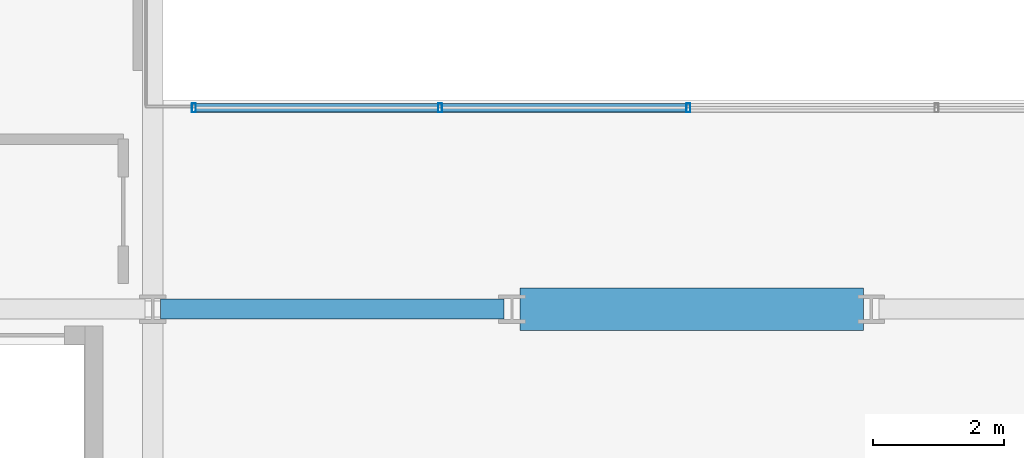
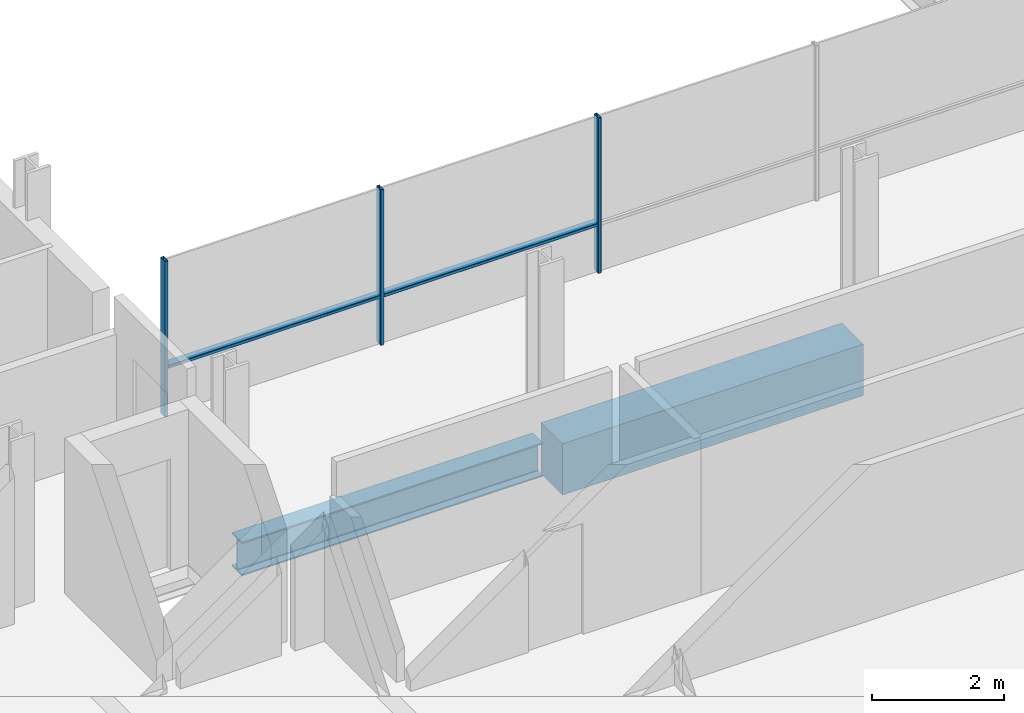
# One storey, part 4 of 39: 5 members, 2 beams, 1 element without a shape of its own.
"""IFC4 building model written with IfcOpenShell, lengths in metres."""

from ifc_helpers import new_model, si_unit, direction, frame, origin, origin_2d, place, context, subcontext, project, spatial, rectangle, hollow_rectangle, i_section, extrude, material, layer, layer_set, material_profile, profile_set, type_object, element, aggregate, save


model = new_model("IFC4")

# Units and contexts
model_context = context("Model", 3, precision=1e-05, world=origin(), true_north=direction((0.0, 1.0)))
body_context = subcontext(model_context, "Body", "Model", "MODEL_VIEW")
ifc_project = project(units=[si_unit("LENGTHUNIT", "METRE"), si_unit("AREAUNIT", "SQUARE_METRE"), si_unit("VOLUMEUNIT", "CUBIC_METRE"), si_unit("PLANEANGLEUNIT", "RADIAN"), si_unit("MASSUNIT", "GRAM", prefix="KILO")], contexts=[model_context])

# Site, building, storey
site_placement = place(None, origin())
site = spatial("IfcSite", under=ifc_project, at=site_placement, CompositionType="ELEMENT")
building_placement = place(site_placement, origin())
building = spatial("IfcBuilding", under=site, at=building_placement, Name="Brevholm Reach", CompositionType="ELEMENT")
storey_placement = place(building_placement, frame((0.0, 0.0, 90.0)))
storey = spatial("IfcBuildingStorey", under=building, at=storey_placement, Name="L26", CompositionType="ELEMENT", Elevation=90.0)

# Beams
ifc_material_1 = material(Name="Concrete C60/75", Category="concrete")
ifc_material_profile_1 = material_profile(ifc_material_1, rectangle(XDim=0.64990234375, YDim=0.949951171875, at=origin_2d()), Name="RC 650x950")
ifc_profile_set_1 = profile_set([ifc_material_profile_1], Name="Concrete C60/75")
beam_type_1 = type_object("IfcBeamType", Name="BM-CB650", PredefinedType="LINTEL", material=ifc_profile_set_1)
beam_1_placement = place(storey_placement, frame((27.3701171875, 10.0, -0.705078125), z_axis=(1.0, 0.0, 0.0), x_axis=(0.0, 1.0, 0.0)))
element("IfcBeam", 1, at=beam_1_placement, inside=storey, type_object=beam_type_1, Name="L26 CB-01 Framing Beam", PredefinedType="LINTEL", context=body_context, shape_type="SweptSolid", body=[
    extrude(rectangle(XDim=0.64990234375, YDim=0.949951171875, at=origin_2d()), origin(), (0.0, 0.0, 1.0), 5.259765625),
])
ifc_material_2 = material(Name="Structural Steel S355J2", Category="steel")
ifc_material_profile_2 = material_profile(ifc_material_2, i_section(OverallWidth=0.30712890625, OverallDepth=0.6201171875, WebThickness=0.01416015625, FlangeThickness=0.023681640625, FilletRadius=0.0166015625, at=origin_2d()), Name="UKB 610x305x179")
ifc_profile_set_2 = profile_set([ifc_material_profile_2], Name="Structural Steel S355J2")
beam_type_2 = type_object("IfcBeamType", Name="BM-UKB610H", PredefinedType="USERDEFINED", material=ifc_profile_set_2)
beam_2_placement = place(storey_placement, frame((21.8701171875, 10.0, -0.5400390625), z_axis=(1.0, 0.0, 0.0), x_axis=(0.0, 1.0, 0.0)))
element("IfcBeam", 2, at=beam_2_placement, inside=storey, type_object=beam_type_2, Name="L26 G-06 Framing Beam", ObjectType="GIRDER", PredefinedType="USERDEFINED", context=body_context, shape_type="SweptSolid", body=[
    extrude(i_section(OverallWidth=0.30712890625, OverallDepth=0.6201171875, WebThickness=0.01416015625, FlangeThickness=0.023681640625, FilletRadius=0.0166015625, at=origin_2d()), origin(), (0.0, 0.0, 1.0), 5.259765625),
])

# Curtain wall, members
ifc_material_3 = material(Name="Dark Anodised Aluminium 6063-T6 and Solar-Control Glass", Category="aluminium")
ifc_layer = layer(ifc_material_3, 0.139892578125)
ifc_layer_set = layer_set([ifc_layer], Name="Dark Anodised Aluminium 6063-T6 and Solar-Control Glass")
curtain_wall_type = type_object("IfcCurtainWallType", Name="CW-02", PredefinedType="NOTDEFINED", material=ifc_layer_set)
curtain_wall_placement = place(storey_placement, origin())
curtain_wall = element("IfcCurtainWall", 3, at=curtain_wall_placement, inside=storey, type_object=curtain_wall_type, Name="L26 Curtain Wall CW-02", PredefinedType="NOTDEFINED")
ifc_material_4 = material(Name="Dark Anodised Aluminium 6063-T6", Category="aluminium")
ifc_material_profile_3 = material_profile(ifc_material_4, hollow_rectangle(XDim=0.06005859375, YDim=0.139892578125, WallThickness=0.0048828125, InnerFilletRadius=0.0048828125, OuterFilletRadius=0.010009765625, at=origin_2d()), Name="RHS 140x60x5")
ifc_profile_set_3 = profile_set([ifc_material_profile_3], Name="Dark Anodised Aluminium 6063-T6")
member_type_1 = type_object("IfcMemberType", Name="CWM-140", PredefinedType="MULLION", material=ifc_profile_set_3)
member_1_placement = place(storey_placement, frame((22.3798828125, 13.080078125, 0.0), z_axis=(0.0, 0.0, 1.0), x_axis=(1.0, 0.0, 0.0)))
member_1 = element("IfcMember", 4, at=member_1_placement, type_object=member_type_1, Name="CM-140 Mullion 1", PredefinedType="MULLION", context=body_context, shape_type="SweptSolid", body=[
    extrude(hollow_rectangle(XDim=0.06005859375, YDim=0.139892578125, WallThickness=0.0048828125, InnerFilletRadius=0.0048828125, OuterFilletRadius=0.010009765625, at=origin_2d()), origin(), (0.0, 0.0, 1.0), 2.8701171875),
])
member_2_placement = place(storey_placement, frame((26.14990234375, 13.080078125, 0.0), z_axis=(0.0, 0.0, 1.0), x_axis=(1.0, 0.0, 0.0)))
member_2 = element("IfcMember", 5, at=member_2_placement, type_object=member_type_1, Name="CM-140 Mullion 2", PredefinedType="MULLION", context=body_context, shape_type="SweptSolid", body=[
    extrude(hollow_rectangle(XDim=0.06005859375, YDim=0.139892578125, WallThickness=0.0048828125, InnerFilletRadius=0.0048828125, OuterFilletRadius=0.010009765625, at=origin_2d()), origin(), (0.0, 0.0, 1.0), 2.8701171875),
])
member_3_placement = place(storey_placement, frame((29.949951171875, 13.080078125, 0.0), z_axis=(0.0, 0.0, 1.0), x_axis=(1.0, 0.0, 0.0)))
member_3 = element("IfcMember", 6, at=member_3_placement, type_object=member_type_1, Name="CM-140 Mullion 3", PredefinedType="MULLION", context=body_context, shape_type="SweptSolid", body=[
    extrude(hollow_rectangle(XDim=0.06005859375, YDim=0.139892578125, WallThickness=0.0048828125, InnerFilletRadius=0.0048828125, OuterFilletRadius=0.010009765625, at=origin_2d()), origin(), (0.0, 0.0, 1.0), 2.8701171875),
])
ifc_material_5 = material(Name="Dark Anodised Aluminium 6063-T6", Category="aluminium")
ifc_material_profile_4 = material_profile(ifc_material_5, hollow_rectangle(XDim=0.06005859375, YDim=0.139892578125, WallThickness=0.0048828125, InnerFilletRadius=0.0048828125, OuterFilletRadius=0.010009765625, at=origin_2d()), Name="RHS 140x60x5")
ifc_profile_set_4 = profile_set([ifc_material_profile_4], Name="Dark Anodised Aluminium 6063-T6")
member_type_2 = type_object("IfcMemberType", Name="CWT-140", PredefinedType="NOTDEFINED", material=ifc_profile_set_4)
member_4_placement = place(storey_placement, frame((22.409912109375, 13.080078125, 0.89990234375), z_axis=(1.0, 0.0, 0.0), x_axis=(0.0, 0.0, 1.0)))
member_4 = element("IfcMember", 7, at=member_4_placement, type_object=member_type_2, Name="CT-140 Transom 1.1", ObjectType="TRANSOM", PredefinedType="USERDEFINED", context=body_context, shape_type="SweptSolid", body=[
    extrude(hollow_rectangle(XDim=0.06005859375, YDim=0.139892578125, WallThickness=0.0048828125, InnerFilletRadius=0.0048828125, OuterFilletRadius=0.010009765625, at=origin_2d()), origin(), (0.0, 0.0, 1.0), 3.710205078125),
])
member_5_placement = place(storey_placement, frame((26.179931640625, 13.080078125, 0.89990234375), z_axis=(1.0, 0.0, 0.0), x_axis=(0.0, 0.0, 1.0)))
member_5 = element("IfcMember", 8, at=member_5_placement, type_object=member_type_2, Name="CT-140 Transom 2.1", ObjectType="TRANSOM", PredefinedType="USERDEFINED", context=body_context, shape_type="SweptSolid", body=[
    extrude(hollow_rectangle(XDim=0.06005859375, YDim=0.139892578125, WallThickness=0.0048828125, InnerFilletRadius=0.0048828125, OuterFilletRadius=0.010009765625, at=origin_2d()), origin(), (0.0, 0.0, 1.0), 3.739990234375),
])
aggregate(curtain_wall, [member_1, member_2, member_3, member_4, member_5])

save(model, "model.ifc")
